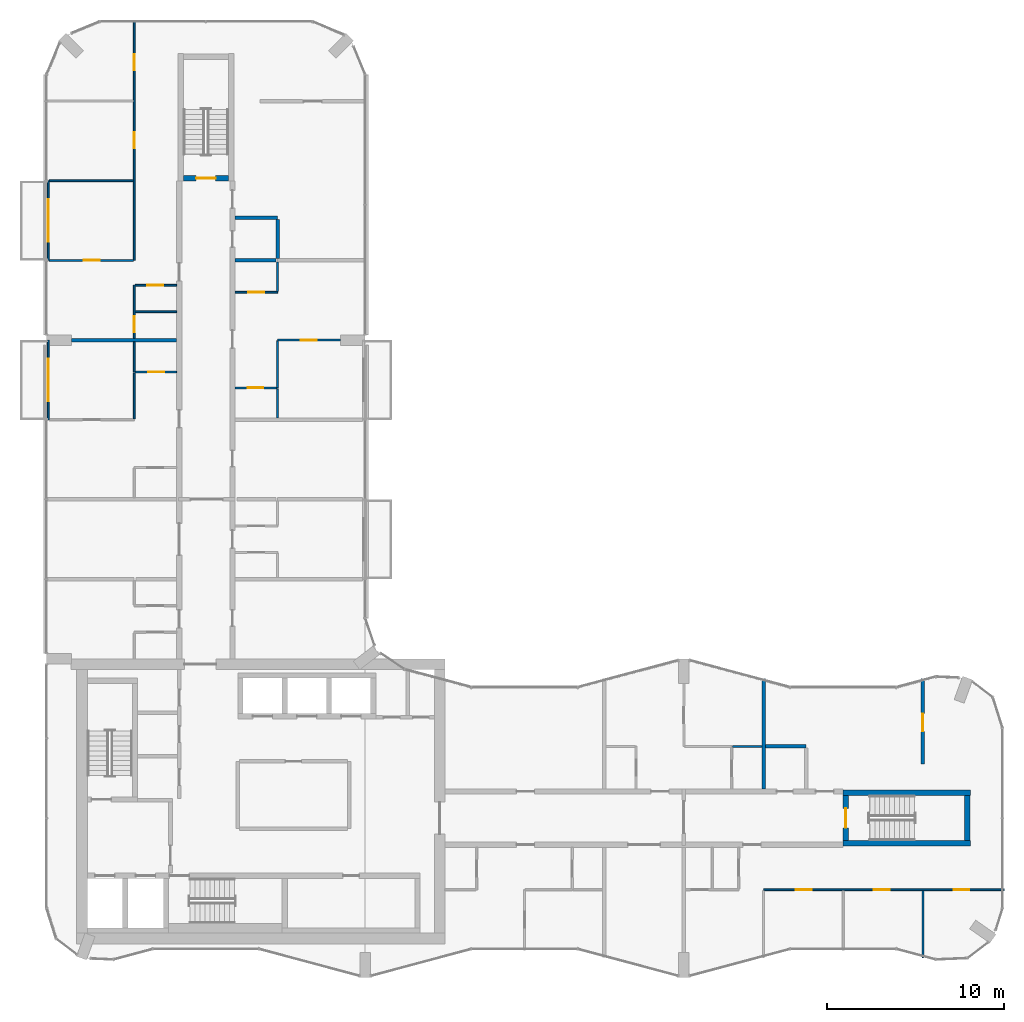
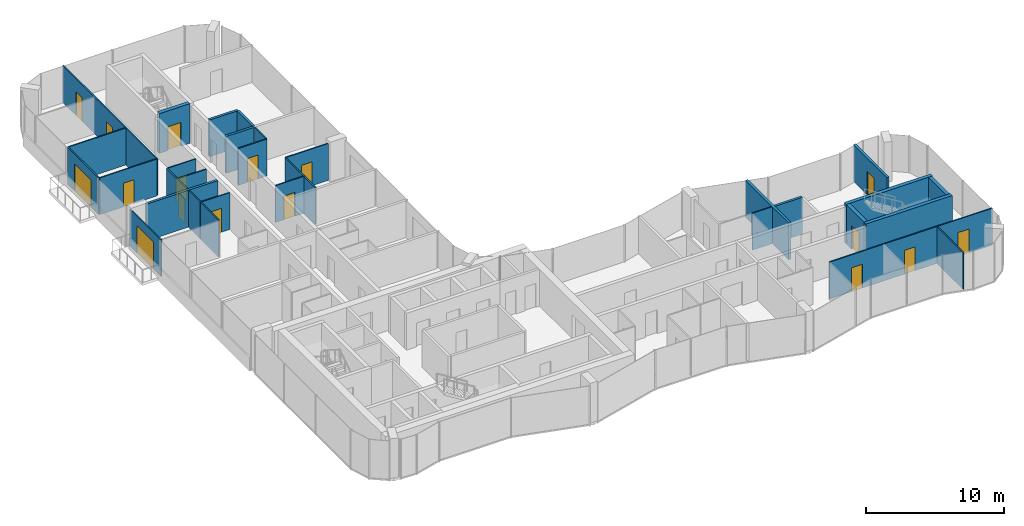
# One storey, part 12 of 15: 32 walls, 17 doors, 17 openings.
"""IFC4 building model written with IfcOpenShell, lengths in metres."""

from ifc_helpers import new_model, si_unit, direction, frame, frame_2d, origin, place, context, subcontext, project, spatial, rectangle, extrude, material, layer, layer_set, type_object, element, fill, save


model = new_model("IFC4")

# Units and contexts
model_context = context("Model", 3, precision=1e-05, world=origin(), true_north=direction((0.0, 1.0)))
body_context = subcontext(model_context, "Body", "Model", "MODEL_VIEW")
ifc_project = project(units=[si_unit("LENGTHUNIT", "METRE"), si_unit("AREAUNIT", "SQUARE_METRE"), si_unit("VOLUMEUNIT", "CUBIC_METRE"), si_unit("PLANEANGLEUNIT", "RADIAN"), si_unit("MASSUNIT", "GRAM", prefix="KILO")], contexts=[model_context])

# Site, building, storey
site_placement = place(None, origin())
site = spatial("IfcSite", under=ifc_project, at=site_placement, CompositionType="ELEMENT")
building_placement = place(site_placement, origin())
building = spatial("IfcBuilding", under=site, at=building_placement, Name="Plateau Cross Towers", CompositionType="ELEMENT")
storey_placement = place(building_placement, frame((0.0, 0.0, 153.39990234375)))
storey = spatial("IfcBuildingStorey", under=building, at=storey_placement, Name="L39", CompositionType="ELEMENT", Elevation=153.39990234375)

# Wall, opening, door
ifc_material_1 = material(Name="Aluminium framed glazing", Category="aluminium")
ifc_layer_1 = layer(ifc_material_1, 0.10009765625)
ifc_layer_set_1 = layer_set([ifc_layer_1], Name="Aluminium framed glazing")
wall_type_1 = type_object("IfcWallType", Name="Balcony screen wall 100", PredefinedType="STANDARD", material=ifc_layer_set_1)
wall_1_placement = place(storey_placement, frame((0.10009765625, 31.5, 0.0), z_axis=(0.0, 0.0, 1.0), x_axis=(0.0, 1.0, 0.0)))
wall_1 = element("IfcWall", 1, at=wall_1_placement, inside=storey, type_object=wall_type_1, Name="Balcony screen wall A-BAL-L39-01", PredefinedType="STANDARD", context=body_context, shape_type="SweptSolid", body=[
    extrude(rectangle(XDim=4.5, YDim=0.10009765625, at=frame_2d((2.25, 0.0))), origin(), (0.0, 0.0, 1.0), 3.25),
])
opening_1_placement = place(wall_1_placement, frame((1.050048828125, 0.0, 0.0)))
opening_1 = element("IfcOpeningElement", 2, at=opening_1_placement, cuts=wall_1, Name="Opening D-B24", PredefinedType="OPENING", context=body_context, shape_type="SweptSolid", body=[
    extrude(rectangle(XDim=2.39990234375, YDim=2.39990234375, at=frame_2d((1.199951171875, 1.199951171875))), frame((0.0, 0.06005859375, 0.0), z_axis=(0.0, -1.0, 0.0), x_axis=(1.0, 0.0, 0.0)), (0.0, 0.0, 1.0), 0.1201171875),
])
ifc_material_2 = material(Name="Aluminium frame, double glazing", Category="aluminium")
door_type_1 = type_object("IfcDoorType", Name="Balcony sliding door 2400", OperationType="NOTDEFINED", PredefinedType="DOOR", material=ifc_material_2)
door_1_placement = place(opening_1_placement, origin())
door_1 = element("IfcDoor", 3, at=door_1_placement, inside=storey, type_object=door_type_1, Name="Balcony door A-BAL-L39-01", OperationType="SINGLE_SWING_LEFT", OverallHeight=2.39990234375, OverallWidth=2.39990234375, PredefinedType="DOOR", context=body_context, shape_type="SweptSolid", body=[
    extrude(rectangle(XDim=2.39990234375, YDim=2.39990234375, at=frame_2d((1.199951171875, 1.199951171875))), frame((0.0, 0.02490234375, 0.0), z_axis=(0.0, -1.0, 0.0), x_axis=(1.0, 0.0, 0.0)), (0.0, 0.0, 1.0), 0.050048828125),
])
fill(opening_1, door_1)

wall_2_placement = place(storey_placement, frame((0.10009765625, 40.5, 0.0), z_axis=(0.0, 0.0, 1.0), x_axis=(0.0, 1.0, 0.0)))
wall_2 = element("IfcWall", 4, at=wall_2_placement, inside=storey, type_object=wall_type_1, Name="Balcony screen wall A-BAL-L39-02", PredefinedType="STANDARD", context=body_context, shape_type="SweptSolid", body=[
    extrude(rectangle(XDim=4.5, YDim=0.10009765625, at=frame_2d((2.25, 0.0))), origin(), (0.0, 0.0, 1.0), 3.25),
])
opening_2_placement = place(wall_2_placement, frame((1.050048828125, 0.0, 0.0)))
opening_2 = element("IfcOpeningElement", 5, at=opening_2_placement, cuts=wall_2, Name="Opening D-B24", PredefinedType="OPENING", context=body_context, shape_type="SweptSolid", body=[
    extrude(rectangle(XDim=2.39990234375, YDim=2.39990234375, at=frame_2d((1.199951171875, 1.199951171875))), frame((0.0, 0.06005859375, 0.0), z_axis=(0.0, -1.0, 0.0), x_axis=(1.0, 0.0, 0.0)), (0.0, 0.0, 1.0), 0.1201171875),
])
door_2_placement = place(opening_2_placement, origin())
door_2 = element("IfcDoor", 6, at=door_2_placement, inside=storey, type_object=door_type_1, Name="Balcony door A-BAL-L39-02", OperationType="SINGLE_SWING_LEFT", OverallHeight=2.39990234375, OverallWidth=2.39990234375, PredefinedType="DOOR", context=body_context, shape_type="SweptSolid", body=[
    extrude(rectangle(XDim=2.39990234375, YDim=2.39990234375, at=frame_2d((1.199951171875, 1.199951171875))), frame((0.0, 0.02490234375, 0.0), z_axis=(0.0, -1.0, 0.0), x_axis=(1.0, 0.0, 0.0)), (0.0, 0.0, 1.0), 0.050048828125),
])
fill(opening_2, door_2)

# Wall, openings, doors
ifc_material_3 = material(Name="Gypsum board on steel studs", Category="steel")
ifc_layer_2 = layer(ifc_material_3, 0.10009765625)
ifc_layer_set_2 = layer_set([ifc_layer_2], Name="Gypsum board on steel studs")
wall_type_2 = type_object("IfcWallType", Name="Flat partition 100", PredefinedType="PARTITIONING", material=ifc_layer_set_2)
wall_3_placement = place(storey_placement, frame((54.080078125, 4.949951171875, 0.0), z_axis=(0.0, 0.0, 1.0), x_axis=(-1.0, 0.0, 0.0)))
wall_3 = element("IfcWall", 7, at=wall_3_placement, inside=storey, type_object=wall_type_2, Name="Partition wall", PredefinedType="PARTITIONING", context=body_context, shape_type="SweptSolid", body=[
    extrude(rectangle(XDim=13.580078125, YDim=0.10009765625, at=frame_2d((6.7900390625, 0.0))), origin(), (0.0, 0.0, 1.0), 3.25),
])
opening_3_placement = place(wall_3_placement, frame((10.85009765625, 0.0, 0.0)))
opening_3 = element("IfcOpeningElement", 8, at=opening_3_placement, cuts=wall_3, Name="Opening 39-27", PredefinedType="OPENING", context=body_context, shape_type="SweptSolid", body=[
    extrude(rectangle(XDim=0.89990234375, YDim=2.10009765625, at=frame_2d((0.449951171875, 1.050048828125))), frame((0.0, 0.06005859375, 0.0), z_axis=(0.0, -1.0, 0.0), x_axis=(1.0, 0.0, 0.0)), (0.0, 0.0, 1.0), 0.1201171875),
])
opening_4_placement = place(wall_3_placement, frame((6.449951171875, 0.0, 0.0)))
opening_4 = element("IfcOpeningElement", 9, at=opening_4_placement, cuts=wall_3, Name="Opening 39-28", PredefinedType="OPENING", context=body_context, shape_type="SweptSolid", body=[
    extrude(rectangle(XDim=0.89990234375, YDim=2.10009765625, at=frame_2d((0.449951171875, 1.050048828125))), frame((0.0, 0.06005859375, 0.0), z_axis=(0.0, -1.0, 0.0), x_axis=(1.0, 0.0, 0.0)), (0.0, 0.0, 1.0), 0.1201171875),
])
opening_5_placement = place(wall_3_placement, frame((1.949951171875, 0.0, 0.0)))
opening_5 = element("IfcOpeningElement", 10, at=opening_5_placement, cuts=wall_3, Name="Opening 39-29", PredefinedType="OPENING", context=body_context, shape_type="SweptSolid", body=[
    extrude(rectangle(XDim=0.89990234375, YDim=2.10009765625, at=frame_2d((0.449951171875, 1.050048828125))), frame((0.0, 0.06005859375, 0.0), z_axis=(0.0, -1.0, 0.0), x_axis=(1.0, 0.0, 0.0)), (0.0, 0.0, 1.0), 0.1201171875),
])
ifc_material_4 = material(Name="Timber leaf", Category="wood")
door_type_2 = type_object("IfcDoorType", Name="Flat room door 900", OperationType="NOTDEFINED", PredefinedType="DOOR", material=ifc_material_4)
door_3_placement = place(opening_3_placement, origin())
door_3 = element("IfcDoor", 11, at=door_3_placement, inside=storey, type_object=door_type_2, Name="Door 39-27", OperationType="SINGLE_SWING_RIGHT", OverallHeight=2.10009765625, OverallWidth=0.89990234375, PredefinedType="DOOR", context=body_context, shape_type="SweptSolid", body=[
    extrude(rectangle(XDim=0.89990234375, YDim=2.10009765625, at=frame_2d((0.449951171875, 1.050048828125))), frame((0.0, 0.02490234375, 0.0), z_axis=(0.0, -1.0, 0.0), x_axis=(1.0, 0.0, 0.0)), (0.0, 0.0, 1.0), 0.050048828125),
])
fill(opening_3, door_3)
door_4_placement = place(opening_4_placement, origin())
door_4 = element("IfcDoor", 12, at=door_4_placement, inside=storey, type_object=door_type_2, Name="Door 39-28", OperationType="SINGLE_SWING_RIGHT", OverallHeight=2.10009765625, OverallWidth=0.89990234375, PredefinedType="DOOR", context=body_context, shape_type="SweptSolid", body=[
    extrude(rectangle(XDim=0.89990234375, YDim=2.10009765625, at=frame_2d((0.449951171875, 1.050048828125))), frame((0.0, 0.02490234375, 0.0), z_axis=(0.0, -1.0, 0.0), x_axis=(1.0, 0.0, 0.0)), (0.0, 0.0, 1.0), 0.050048828125),
])
fill(opening_4, door_4)
door_5_placement = place(opening_5_placement, origin())
door_5 = element("IfcDoor", 13, at=door_5_placement, inside=storey, type_object=door_type_2, Name="Door 39-29", OperationType="SINGLE_SWING_LEFT", OverallHeight=2.10009765625, OverallWidth=0.89990234375, PredefinedType="DOOR", context=body_context, shape_type="SweptSolid", body=[
    extrude(rectangle(XDim=0.89990234375, YDim=2.10009765625, at=frame_2d((0.449951171875, 1.050048828125))), frame((0.0, 0.02490234375, 0.0), z_axis=(0.0, -1.0, 0.0), x_axis=(1.0, 0.0, 0.0)), (0.0, 0.0, 1.0), 0.050048828125),
])
fill(opening_5, door_5)

# Wall
wall_4_placement = place(storey_placement, frame((40.39990234375, 13.050048828125, 0.0), z_axis=(0.0, 0.0, 1.0), x_axis=(-1.0, 0.0, 0.0)))
element("IfcWall", 14, at=wall_4_placement, inside=storey, type_object=wall_type_2, Name="Partition wall", PredefinedType="PARTITIONING", context=body_context, shape_type="SweptSolid", body=[
    extrude(rectangle(XDim=1.64990234375, YDim=0.10009765625, at=frame_2d((0.824951171875, 0.0))), origin(), (0.0, 0.0, 1.0), 3.25),
])

# Wall, opening, door
wall_5_placement = place(storey_placement, frame((13.0, 33.300048828125, 0.0), z_axis=(0.0, 0.0, 1.0), x_axis=(-1.0, 0.0, 0.0)))
wall_5 = element("IfcWall", 15, at=wall_5_placement, inside=storey, type_object=wall_type_2, Name="Partition wall", PredefinedType="PARTITIONING", context=body_context, shape_type="SweptSolid", body=[
    extrude(rectangle(XDim=2.35009765625, YDim=0.10009765625, at=frame_2d((1.175048828125, 0.0))), origin(), (0.0, 0.0, 1.0), 3.25),
])
opening_6_placement = place(wall_5_placement, frame((0.75, 0.0, 0.0)))
opening_6 = element("IfcOpeningElement", 16, at=opening_6_placement, cuts=wall_5, Name="Opening 39-45", PredefinedType="OPENING", context=body_context, shape_type="SweptSolid", body=[
    extrude(rectangle(XDim=0.89990234375, YDim=2.10009765625, at=frame_2d((0.449951171875, 1.050048828125))), frame((0.0, 0.06005859375, 0.0), z_axis=(0.0, -1.0, 0.0), x_axis=(1.0, 0.0, 0.0)), (0.0, 0.0, 1.0), 0.1201171875),
])
door_6_placement = place(opening_6_placement, origin())
door_6 = element("IfcDoor", 17, at=door_6_placement, inside=storey, type_object=door_type_2, Name="Door 39-45", OperationType="SINGLE_SWING_RIGHT", OverallHeight=2.10009765625, OverallWidth=0.89990234375, PredefinedType="DOOR", context=body_context, shape_type="SweptSolid", body=[
    extrude(rectangle(XDim=0.89990234375, YDim=2.10009765625, at=frame_2d((0.449951171875, 1.050048828125))), frame((0.0, 0.02490234375, 0.0), z_axis=(0.0, -1.0, 0.0), x_axis=(1.0, 0.0, 0.0)), (0.0, 0.0, 1.0), 0.050048828125),
])
fill(opening_6, door_6)

wall_6_placement = place(storey_placement, frame((5.0, 34.199951171875, 0.0), z_axis=(0.0, 0.0, 1.0), x_axis=(1.0, 0.0, 0.0)))
wall_6 = element("IfcWall", 18, at=wall_6_placement, inside=storey, type_object=wall_type_2, Name="Partition wall", PredefinedType="PARTITIONING", context=body_context, shape_type="SweptSolid", body=[
    extrude(rectangle(XDim=2.35009765625, YDim=0.10009765625, at=frame_2d((1.175048828125, 0.0))), origin(), (0.0, 0.0, 1.0), 3.25),
])
opening_7_placement = place(wall_6_placement, frame((0.75, 0.0, 0.0)))
opening_7 = element("IfcOpeningElement", 19, at=opening_7_placement, cuts=wall_6, Name="Opening 39-36", PredefinedType="OPENING", context=body_context, shape_type="SweptSolid", body=[
    extrude(rectangle(XDim=0.89990234375, YDim=2.10009765625, at=frame_2d((0.449951171875, 1.050048828125))), frame((0.0, 0.06005859375, 0.0), z_axis=(0.0, -1.0, 0.0), x_axis=(1.0, 0.0, 0.0)), (0.0, 0.0, 1.0), 0.1201171875),
])
door_7_placement = place(opening_7_placement, origin())
door_7 = element("IfcDoor", 20, at=door_7_placement, inside=storey, type_object=door_type_2, Name="Door 39-36", OperationType="SINGLE_SWING_RIGHT", OverallHeight=2.10009765625, OverallWidth=0.89990234375, PredefinedType="DOOR", context=body_context, shape_type="SweptSolid", body=[
    extrude(rectangle(XDim=0.89990234375, YDim=2.10009765625, at=frame_2d((0.449951171875, 1.050048828125))), frame((0.0, 0.02490234375, 0.0), z_axis=(0.0, -1.0, 0.0), x_axis=(1.0, 0.0, 0.0)), (0.0, 0.0, 1.0), 0.050048828125),
])
fill(opening_7, door_7)

wall_7_placement = place(storey_placement, frame((16.60009765625, 36.0, 0.0), z_axis=(0.0, 0.0, 1.0), x_axis=(-1.0, 0.0, 0.0)))
wall_7 = element("IfcWall", 21, at=wall_7_placement, inside=storey, type_object=wall_type_2, Name="Partition wall", PredefinedType="PARTITIONING", context=body_context, shape_type="SweptSolid", body=[
    extrude(rectangle(XDim=3.550048828125, YDim=0.10009765625, at=frame_2d((1.77490234375, 0.0))), origin(), (0.0, 0.0, 1.0), 3.25),
])
opening_8_placement = place(wall_7_placement, frame((1.35009765625, 0.0, 0.0)))
opening_8 = element("IfcOpeningElement", 22, at=opening_8_placement, cuts=wall_7, Name="Opening 39-47", PredefinedType="OPENING", context=body_context, shape_type="SweptSolid", body=[
    extrude(rectangle(XDim=0.89990234375, YDim=2.10009765625, at=frame_2d((0.449951171875, 1.050048828125))), frame((0.0, 0.06005859375, 0.0), z_axis=(0.0, -1.0, 0.0), x_axis=(1.0, 0.0, 0.0)), (0.0, 0.0, 1.0), 0.1201171875),
])
door_8_placement = place(opening_8_placement, origin())
door_8 = element("IfcDoor", 23, at=door_8_placement, inside=storey, type_object=door_type_2, Name="Door 39-47", OperationType="SINGLE_SWING_RIGHT", OverallHeight=2.10009765625, OverallWidth=0.89990234375, PredefinedType="DOOR", context=body_context, shape_type="SweptSolid", body=[
    extrude(rectangle(XDim=0.89990234375, YDim=2.10009765625, at=frame_2d((0.449951171875, 1.050048828125))), frame((0.0, 0.02490234375, 0.0), z_axis=(0.0, -1.0, 0.0), x_axis=(1.0, 0.0, 0.0)), (0.0, 0.0, 1.0), 0.050048828125),
])
fill(opening_8, door_8)

# Wall
wall_8_placement = place(storey_placement, frame((7.35009765625, 37.60009765625, 0.0), z_axis=(0.0, 0.0, 1.0), x_axis=(-1.0, 0.0, 0.0)))
element("IfcWall", 24, at=wall_8_placement, inside=storey, type_object=wall_type_2, Name="Partition wall", PredefinedType="PARTITIONING", context=body_context, shape_type="SweptSolid", body=[
    extrude(rectangle(XDim=2.35009765625, YDim=0.10009765625, at=frame_2d((1.175048828125, 0.0))), origin(), (0.0, 0.0, 1.0), 3.25),
])

# Wall, opening, door
wall_9_placement = place(storey_placement, frame((10.64990234375, 38.699951171875, 0.0), z_axis=(0.0, 0.0, 1.0), x_axis=(1.0, 0.0, 0.0)))
wall_9 = element("IfcWall", 25, at=wall_9_placement, inside=storey, type_object=wall_type_2, Name="Partition wall", PredefinedType="PARTITIONING", context=body_context, shape_type="SweptSolid", body=[
    extrude(rectangle(XDim=2.400146484375, YDim=0.10009765625, at=frame_2d((1.2001953125, 0.0))), origin(), (0.0, 0.0, 1.0), 3.25),
])
opening_9_placement = place(wall_9_placement, frame((0.75, 0.0, 0.0)))
opening_9 = element("IfcOpeningElement", 26, at=opening_9_placement, cuts=wall_9, Name="Opening 39-46", PredefinedType="OPENING", context=body_context, shape_type="SweptSolid", body=[
    extrude(rectangle(XDim=0.89990234375, YDim=2.10009765625, at=frame_2d((0.449951171875, 1.050048828125))), frame((0.0, 0.06005859375, 0.0), z_axis=(0.0, -1.0, 0.0), x_axis=(1.0, 0.0, 0.0)), (0.0, 0.0, 1.0), 0.1201171875),
])
door_9_placement = place(opening_9_placement, origin())
door_9 = element("IfcDoor", 27, at=door_9_placement, inside=storey, type_object=door_type_2, Name="Door 39-46", OperationType="SINGLE_SWING_LEFT", OverallHeight=2.10009765625, OverallWidth=0.89990234375, PredefinedType="DOOR", context=body_context, shape_type="SweptSolid", body=[
    extrude(rectangle(XDim=0.89990234375, YDim=2.10009765625, at=frame_2d((0.449951171875, 1.050048828125))), frame((0.0, 0.02490234375, 0.0), z_axis=(0.0, -1.0, 0.0), x_axis=(1.0, 0.0, 0.0)), (0.0, 0.0, 1.0), 0.050048828125),
])
fill(opening_9, door_9)

wall_10_placement = place(storey_placement, frame((7.35009765625, 39.10009765625, 0.0), z_axis=(0.0, 0.0, 1.0), x_axis=(-1.0, 0.0, 0.0)))
wall_10 = element("IfcWall", 28, at=wall_10_placement, inside=storey, type_object=wall_type_2, Name="Partition wall", PredefinedType="PARTITIONING", context=body_context, shape_type="SweptSolid", body=[
    extrude(rectangle(XDim=2.35009765625, YDim=0.10009765625, at=frame_2d((1.175048828125, 0.0))), origin(), (0.0, 0.0, 1.0), 3.25),
])
opening_10_placement = place(wall_10_placement, frame((0.75, 0.0, 0.0)))
opening_10 = element("IfcOpeningElement", 29, at=opening_10_placement, cuts=wall_10, Name="Opening 39-39", PredefinedType="OPENING", context=body_context, shape_type="SweptSolid", body=[
    extrude(rectangle(XDim=0.89990234375, YDim=2.10009765625, at=frame_2d((0.449951171875, 1.050048828125))), frame((0.0, 0.06005859375, 0.0), z_axis=(0.0, -1.0, 0.0), x_axis=(1.0, 0.0, 0.0)), (0.0, 0.0, 1.0), 0.1201171875),
])
door_10_placement = place(opening_10_placement, origin())
door_10 = element("IfcDoor", 30, at=door_10_placement, inside=storey, type_object=door_type_2, Name="Door 39-39", OperationType="SINGLE_SWING_RIGHT", OverallHeight=2.10009765625, OverallWidth=0.89990234375, PredefinedType="DOOR", context=body_context, shape_type="SweptSolid", body=[
    extrude(rectangle(XDim=0.89990234375, YDim=2.10009765625, at=frame_2d((0.449951171875, 1.050048828125))), frame((0.0, 0.02490234375, 0.0), z_axis=(0.0, -1.0, 0.0), x_axis=(1.0, 0.0, 0.0)), (0.0, 0.0, 1.0), 0.050048828125),
])
fill(opening_10, door_10)

wall_11_placement = place(storey_placement, frame((0.14990234375, 40.5, 0.0), z_axis=(0.0, 0.0, 1.0), x_axis=(1.0, 0.0, 0.0)))
wall_11 = element("IfcWall", 31, at=wall_11_placement, inside=storey, type_object=wall_type_2, Name="Partition wall", PredefinedType="PARTITIONING", context=body_context, shape_type="SweptSolid", body=[
    extrude(rectangle(XDim=4.75, YDim=0.10009765625, at=frame_2d((2.375, 0.0))), origin(), (0.0, 0.0, 1.0), 3.25),
])
opening_11_placement = place(wall_11_placement, frame((1.949951171875, 0.0, 0.0)))
opening_11 = element("IfcOpeningElement", 32, at=opening_11_placement, cuts=wall_11, Name="Opening 39-40", PredefinedType="OPENING", context=body_context, shape_type="SweptSolid", body=[
    extrude(rectangle(XDim=0.89990234375, YDim=2.10009765625, at=frame_2d((0.449951171875, 1.050048828125))), frame((0.0, 0.06005859375, 0.0), z_axis=(0.0, -1.0, 0.0), x_axis=(1.0, 0.0, 0.0)), (0.0, 0.0, 1.0), 0.1201171875),
])
door_11_placement = place(opening_11_placement, origin())
door_11 = element("IfcDoor", 33, at=door_11_placement, inside=storey, type_object=door_type_2, Name="Door 39-40", OperationType="SINGLE_SWING_RIGHT", OverallHeight=2.10009765625, OverallWidth=0.89990234375, PredefinedType="DOOR", context=body_context, shape_type="SweptSolid", body=[
    extrude(rectangle(XDim=0.89990234375, YDim=2.10009765625, at=frame_2d((0.449951171875, 1.050048828125))), frame((0.0, 0.02490234375, 0.0), z_axis=(0.0, -1.0, 0.0), x_axis=(1.0, 0.0, 0.0)), (0.0, 0.0, 1.0), 0.050048828125),
])
fill(opening_11, door_11)

# Walls
wall_12_placement = place(storey_placement, frame((4.89990234375, 45.0, 0.0), z_axis=(0.0, 0.0, 1.0), x_axis=(-1.0, 0.0, 0.0)))
element("IfcWall", 34, at=wall_12_placement, inside=storey, type_object=wall_type_2, Name="Partition wall", PredefinedType="PARTITIONING", context=body_context, shape_type="SweptSolid", body=[
    extrude(rectangle(XDim=4.75, YDim=0.10009765625, at=frame_2d((2.375, 0.0))), origin(), (0.0, 0.0, 1.0), 3.25),
])
wall_13_placement = place(storey_placement, frame((4.949951171875, 35.89990234375, 0.0), z_axis=(0.0, 0.0, 1.0), x_axis=(0.0, -1.0, 0.0)))
element("IfcWall", 35, at=wall_13_placement, inside=storey, type_object=wall_type_2, Name="Partition wall", PredefinedType="PARTITIONING", context=body_context, shape_type="SweptSolid", body=[
    extrude(rectangle(XDim=1.699951171875, YDim=0.10009765625, at=frame_2d((0.85009765625, 0.0))), origin(), (0.0, 0.0, 1.0), 3.25),
])

# Wall, opening, door
wall_14_placement = place(storey_placement, frame((4.949951171875, 39.10009765625, 0.0), z_axis=(0.0, 0.0, 1.0), x_axis=(0.0, -1.0, 0.0)))
wall_14 = element("IfcWall", 36, at=wall_14_placement, inside=storey, type_object=wall_type_2, Name="Partition wall", PredefinedType="PARTITIONING", context=body_context, shape_type="SweptSolid", body=[
    extrude(rectangle(XDim=3.0, YDim=0.10009765625, at=frame_2d((1.5, 0.0))), origin(), (0.0, 0.0, 1.0), 3.25),
])
opening_12_placement = place(wall_14_placement, frame((1.75, 0.0, 0.0)))
opening_12 = element("IfcOpeningElement", 37, at=opening_12_placement, cuts=wall_14, Name="Opening 39-38", PredefinedType="OPENING", context=body_context, shape_type="SweptSolid", body=[
    extrude(rectangle(XDim=0.89990234375, YDim=2.10009765625, at=frame_2d((0.449951171875, 1.050048828125))), frame((0.0, 0.06005859375, 0.0), z_axis=(0.0, -1.0, 0.0), x_axis=(1.0, 0.0, 0.0)), (0.0, 0.0, 1.0), 0.1201171875),
])
door_12_placement = place(opening_12_placement, origin())
door_12 = element("IfcDoor", 38, at=door_12_placement, inside=storey, type_object=door_type_2, Name="Door 39-38", OperationType="SINGLE_SWING_RIGHT", OverallHeight=2.10009765625, OverallWidth=0.89990234375, PredefinedType="DOOR", context=body_context, shape_type="SweptSolid", body=[
    extrude(rectangle(XDim=0.89990234375, YDim=2.10009765625, at=frame_2d((0.449951171875, 1.050048828125))), frame((0.0, 0.02490234375, 0.0), z_axis=(0.0, -1.0, 0.0), x_axis=(1.0, 0.0, 0.0)), (0.0, 0.0, 1.0), 0.050048828125),
])
fill(opening_12, door_12)

# Wall
wall_15_placement = place(storey_placement, frame((4.949951171875, 31.550048828125, 0.0), z_axis=(0.0, 0.0, 1.0), x_axis=(0.0, 1.0, 0.0)))
element("IfcWall", 39, at=wall_15_placement, inside=storey, type_object=wall_type_2, Name="Partition wall", PredefinedType="PARTITIONING", context=body_context, shape_type="SweptSolid", body=[
    extrude(rectangle(XDim=2.599853515625, YDim=0.10009765625, at=frame_2d((1.2998046875, 0.0))), origin(), (0.0, 0.0, 1.0), 3.25),
])

# Wall, openings, doors
wall_16_placement = place(storey_placement, frame((4.949951171875, 40.5, 0.0), z_axis=(0.0, 0.0, 1.0), x_axis=(0.0, 1.0, 0.0)))
wall_16 = element("IfcWall", 40, at=wall_16_placement, inside=storey, type_object=wall_type_2, Name="Partition wall", PredefinedType="PARTITIONING", context=body_context, shape_type="SweptSolid", body=[
    extrude(rectangle(XDim=13.580078125, YDim=0.10009765625, at=frame_2d((6.7900390625, 0.0))), origin(), (0.0, 0.0, 1.0), 3.25),
])
opening_13_placement = place(wall_16_placement, frame((6.35009765625, 0.0, 0.0)))
opening_13 = element("IfcOpeningElement", 41, at=opening_13_placement, cuts=wall_16, Name="Opening 39-41", PredefinedType="OPENING", context=body_context, shape_type="SweptSolid", body=[
    extrude(rectangle(XDim=0.89990234375, YDim=2.10009765625, at=frame_2d((0.449951171875, 1.050048828125))), frame((0.0, 0.06005859375, 0.0), z_axis=(0.0, -1.0, 0.0), x_axis=(1.0, 0.0, 0.0)), (0.0, 0.0, 1.0), 0.1201171875),
])
opening_14_placement = place(wall_16_placement, frame((10.75, 0.0, 0.0)))
opening_14 = element("IfcOpeningElement", 42, at=opening_14_placement, cuts=wall_16, Name="Opening 39-42", PredefinedType="OPENING", context=body_context, shape_type="SweptSolid", body=[
    extrude(rectangle(XDim=0.89990234375, YDim=2.10009765625, at=frame_2d((0.449951171875, 1.050048828125))), frame((0.0, 0.06005859375, 0.0), z_axis=(0.0, -1.0, 0.0), x_axis=(1.0, 0.0, 0.0)), (0.0, 0.0, 1.0), 0.1201171875),
])
door_13_placement = place(opening_13_placement, origin())
door_13 = element("IfcDoor", 43, at=door_13_placement, inside=storey, type_object=door_type_2, Name="Door 39-41", OperationType="SINGLE_SWING_RIGHT", OverallHeight=2.10009765625, OverallWidth=0.89990234375, PredefinedType="DOOR", context=body_context, shape_type="SweptSolid", body=[
    extrude(rectangle(XDim=0.89990234375, YDim=2.10009765625, at=frame_2d((0.449951171875, 1.050048828125))), frame((0.0, 0.02490234375, 0.0), z_axis=(0.0, -1.0, 0.0), x_axis=(1.0, 0.0, 0.0)), (0.0, 0.0, 1.0), 0.050048828125),
])
fill(opening_13, door_13)
door_14_placement = place(opening_14_placement, origin())
door_14 = element("IfcDoor", 44, at=door_14_placement, inside=storey, type_object=door_type_2, Name="Door 39-42", OperationType="SINGLE_SWING_RIGHT", OverallHeight=2.10009765625, OverallWidth=0.89990234375, PredefinedType="DOOR", context=body_context, shape_type="SweptSolid", body=[
    extrude(rectangle(XDim=0.89990234375, YDim=2.10009765625, at=frame_2d((0.449951171875, 1.050048828125))), frame((0.0, 0.02490234375, 0.0), z_axis=(0.0, -1.0, 0.0), x_axis=(1.0, 0.0, 0.0)), (0.0, 0.0, 1.0), 0.050048828125),
])
fill(opening_14, door_14)

# Walls
wall_17_placement = place(storey_placement, frame((13.050048828125, 35.949951171875, 0.0), z_axis=(0.0, 0.0, 1.0), x_axis=(0.0, -1.0, 0.0)))
element("IfcWall", 45, at=wall_17_placement, inside=storey, type_object=wall_type_2, Name="Partition wall", PredefinedType="PARTITIONING", context=body_context, shape_type="SweptSolid", body=[
    extrude(rectangle(XDim=2.64990234375, YDim=0.10009765625, at=frame_2d((1.324951171875, 0.0))), origin(), (0.0, 0.0, 1.0), 3.25),
])
for number, where, z_axis, x_axis, name in (
    (46, (13.050048828125, 31.60009765625, 0.0), (0.0, 0.0, 1.0), (0.0, 1.0, 0.0), "Partition wall"),
    (47, (13.050048828125, 38.75, 0.0), (0.0, 0.0, 1.0), (0.0, 1.0, 0.0), "Partition wall"),
):
    element("IfcWall", number, at=place(storey_placement, frame(where, z_axis=z_axis, x_axis=x_axis)), inside=storey, type_object=wall_type_2, Name=name, PredefinedType="PARTITIONING", context=body_context, shape_type="SweptSolid", body=[
        extrude(rectangle(XDim=1.64990234375, YDim=0.10009765625, at=frame_2d((0.824951171875, 0.0))), origin(), (0.0, 0.0, 1.0), 3.25),
    ])
wall_18_placement = place(storey_placement, frame((49.5, 1.122314453125, 0.0), z_axis=(0.0, 0.0, 1.0), x_axis=(0.0, 1.0, 0.0)))
element("IfcWall", 48, at=wall_18_placement, inside=storey, type_object=wall_type_2, Name="Partition wall", PredefinedType="PARTITIONING", context=body_context, shape_type="SweptSolid", body=[
    extrude(rectangle(XDim=3.777587890625, YDim=0.10009765625, at=frame_2d((1.888671875, 0.0))), origin(), (0.0, 0.0, 1.0), 3.25),
])
ifc_material_5 = material(Name="Gypsum board on steel studs, two layers each side", Category="steel")
ifc_layer_3 = layer(ifc_material_5, 0.199951171875)
ifc_layer_set_3 = layer_set([ifc_layer_3], Name="Gypsum board on steel studs, two layers each side")
wall_type_3 = type_object("IfcWallType", Name="Flat party wall 200", PredefinedType="PARTITIONING", material=ifc_layer_set_3)
wall_19_placement = place(storey_placement, frame((42.89990234375, 13.050048828125, 0.0), z_axis=(0.0, 0.0, 1.0), x_axis=(-1.0, 0.0, 0.0)))
element("IfcWall", 49, at=wall_19_placement, inside=storey, type_object=wall_type_3, Name="Party wall", PredefinedType="PARTITIONING", context=body_context, shape_type="SweptSolid", body=[
    extrude(rectangle(XDim=2.2998046875, YDim=0.199951171875, at=frame_2d((1.14990234375, 0.0))), origin(), (0.0, 0.0, 1.0), 3.25),
])
wall_20_placement = place(storey_placement, frame((7.35009765625, 36.0, 0.0), z_axis=(0.0, 0.0, 1.0), x_axis=(-1.0, 0.0, 0.0)))
element("IfcWall", 50, at=wall_20_placement, inside=storey, type_object=wall_type_3, Name="Party wall", PredefinedType="PARTITIONING", context=body_context, shape_type="SweptSolid", body=[
    extrude(rectangle(XDim=5.9501953125, YDim=0.199951171875, at=frame_2d((2.97509765625, 0.0))), origin(), (0.0, 0.0, 1.0), 3.25),
])
wall_21_placement = place(storey_placement, frame((12.949951171875, 40.5, 0.0), z_axis=(0.0, 0.0, 1.0), x_axis=(-1.0, 0.0, 0.0)))
element("IfcWall", 51, at=wall_21_placement, inside=storey, type_object=wall_type_3, Name="Party wall", PredefinedType="PARTITIONING", context=body_context, shape_type="SweptSolid", body=[
    extrude(rectangle(XDim=2.300048828125, YDim=0.199951171875, at=frame_2d((1.14990234375, 0.0))), origin(), (0.0, 0.0, 1.0), 3.25),
])
wall_22_placement = place(storey_placement, frame((13.050048828125, 42.89990234375, 0.0), z_axis=(0.0, 0.0, 1.0), x_axis=(-1.0, 0.0, 0.0)))
element("IfcWall", 52, at=wall_22_placement, inside=storey, type_object=wall_type_3, Name="Party wall", PredefinedType="PARTITIONING", context=body_context, shape_type="SweptSolid", body=[
    extrude(rectangle(XDim=2.400146484375, YDim=0.199951171875, at=frame_2d((1.2001953125, 0.0))), origin(), (0.0, 0.0, 1.0), 3.25),
])
wall_23_placement = place(storey_placement, frame((13.050048828125, 40.60009765625, 0.0), z_axis=(0.0, 0.0, 1.0), x_axis=(0.0, 1.0, 0.0)))
element("IfcWall", 53, at=wall_23_placement, inside=storey, type_object=wall_type_3, Name="Party wall", PredefinedType="PARTITIONING", context=body_context, shape_type="SweptSolid", body=[
    extrude(rectangle(XDim=2.199951171875, YDim=0.199951171875, at=frame_2d((1.10009765625, 0.0))), origin(), (0.0, 0.0, 1.0), 3.25),
])
wall_24_placement = place(storey_placement, frame((40.5, 10.64990234375, 0.0), z_axis=(0.0, 0.0, 1.0), x_axis=(0.0, 1.0, 0.0)))
element("IfcWall", 54, at=wall_24_placement, inside=storey, type_object=wall_type_3, Name="Party wall", PredefinedType="PARTITIONING", context=body_context, shape_type="SweptSolid", body=[
    extrude(rectangle(XDim=6.227783203125, YDim=0.199951171875, at=frame_2d((3.11376953125, 0.0))), origin(), (0.0, 0.0, 1.0), 3.25),
])

# Wall, opening, door
wall_25_placement = place(storey_placement, frame((49.5, 12.050048828125, 0.0), z_axis=(0.0, 0.0, 1.0), x_axis=(0.0, 1.0, 0.0)))
wall_25 = element("IfcWall", 55, at=wall_25_placement, inside=storey, type_object=wall_type_3, Name="Party wall", PredefinedType="PARTITIONING", context=body_context, shape_type="SweptSolid", body=[
    extrude(rectangle(XDim=4.82763671875, YDim=0.199951171875, at=frame_2d((2.413818359375, 0.0))), origin(), (0.0, 0.0, 1.0), 3.25),
])
opening_15_placement = place(wall_25_placement, frame((1.85009765625, 0.0, 0.0)))
opening_15 = element("IfcOpeningElement", 56, at=opening_15_placement, cuts=wall_25, Name="Opening 39-20", PredefinedType="OPENING", context=body_context, shape_type="SweptSolid", body=[
    extrude(rectangle(XDim=1.0, YDim=2.10009765625, at=frame_2d((0.5, 1.050048828125))), frame((0.0, 0.10986328125, 0.0), z_axis=(0.0, -1.0, 0.0), x_axis=(1.0, 0.0, 0.0)), (0.0, 0.0, 1.0), 0.219970703125),
])
ifc_material_6 = material(Name="Timber, fire-resisting leaf", Category="wood")
door_type_3 = type_object("IfcDoorType", Name="Flat entrance door 1000", OperationType="NOTDEFINED", PredefinedType="DOOR", material=ifc_material_6)
door_15_placement = place(opening_15_placement, origin())
door_15 = element("IfcDoor", 57, at=door_15_placement, inside=storey, type_object=door_type_3, Name="Door 39-20", OperationType="SINGLE_SWING_LEFT", OverallHeight=2.10009765625, OverallWidth=1.0, PredefinedType="DOOR", context=body_context, shape_type="SweptSolid", body=[
    extrude(rectangle(XDim=1.0, YDim=2.10009765625, at=frame_2d((0.5, 1.050048828125))), frame((0.0, 0.02490234375, 0.0), z_axis=(0.0, -1.0, 0.0), x_axis=(1.0, 0.0, 0.0)), (0.0, 0.0, 1.0), 0.050048828125),
])
fill(opening_15, door_15)

ifc_material_7 = material(Name="Concrete C60/75", Category="concrete")
ifc_layer_4 = layer(ifc_material_7, 0.300048828125)
ifc_layer_set_4 = layer_set([ifc_layer_4], Name="Concrete C60/75")
wall_type_4 = type_object("IfcWallType", Name="Stair tower wall 300", PredefinedType="SHEAR", material=ifc_layer_set_4)
wall_26_placement = place(storey_placement, frame((45.14990234375, 7.72509765625, 0.0), z_axis=(0.0, 0.0, 1.0), x_axis=(0.0, 1.0, 0.0)))
wall_26 = element("IfcWall", 58, at=wall_26_placement, inside=storey, type_object=wall_type_4, Name="A-end-E-W@L39", PredefinedType="SHEAR", context=body_context, shape_type="SweptSolid", body=[
    extrude(rectangle(XDim=2.5498046875, YDim=0.300048828125, at=frame_2d((1.27490234375, 0.0))), origin(), (0.0, 0.0, 1.0), 3.5),
])
opening_16_placement = place(wall_26_placement, frame((0.72509765625, 0.0, 0.0)))
opening_16 = element("IfcOpeningElement", 59, at=opening_16_placement, cuts=wall_26, Name="Opening SD", PredefinedType="OPENING", context=body_context, shape_type="SweptSolid", body=[
    extrude(rectangle(XDim=1.10009765625, YDim=2.10009765625, at=frame_2d((0.550048828125, 1.050048828125))), frame((0.0, 0.159912109375, 0.0), z_axis=(0.0, -1.0, 0.0), x_axis=(1.0, 0.0, 0.0)), (0.0, 0.0, 1.0), 0.320068359375),
])
ifc_material_8 = material(Name="Steel, fire-resisting leaf", Category="steel")
door_type_4 = type_object("IfcDoorType", Name="Stair door 1100", OperationType="NOTDEFINED", PredefinedType="DOOR", material=ifc_material_8)
door_16_placement = place(opening_16_placement, origin())
door_16 = element("IfcDoor", 60, at=door_16_placement, inside=storey, type_object=door_type_4, Name="Stair door SD", OperationType="SINGLE_SWING_LEFT", OverallHeight=2.10009765625, OverallWidth=1.10009765625, PredefinedType="DOOR", context=body_context, shape_type="SweptSolid", body=[
    extrude(rectangle(XDim=1.10009765625, YDim=2.10009765625, at=frame_2d((0.550048828125, 1.050048828125))), frame((0.0, 0.02490234375, 0.0), z_axis=(0.0, -1.0, 0.0), x_axis=(1.0, 0.0, 0.0)), (0.0, 0.0, 1.0), 0.050048828125),
])
fill(opening_16, door_16)

# Walls
wall_27_placement = place(storey_placement, frame((52.0, 7.72509765625, 0.0), z_axis=(0.0, 0.0, 1.0), x_axis=(0.0, 1.0, 0.0)))
element("IfcWall", 61, at=wall_27_placement, inside=storey, type_object=wall_type_4, Name="A-end-E-E@L39", PredefinedType="SHEAR", context=body_context, shape_type="SweptSolid", body=[
    extrude(rectangle(XDim=2.5498046875, YDim=0.300048828125, at=frame_2d((1.27490234375, 0.0))), origin(), (0.0, 0.0, 1.0), 3.5),
])
for number, where, z_axis, x_axis, name in (
    (62, (45.0, 7.574951171875, 0.0), (0.0, 0.0, 1.0), (1.0, 0.0, 0.0), "A-end-E-S@L39"),
    (63, (45.0, 10.425048828125, 0.0), (0.0, 0.0, 1.0), (1.0, 0.0, 0.0), "A-end-E-N@L39"),
):
    element("IfcWall", number, at=place(storey_placement, frame(where, z_axis=z_axis, x_axis=x_axis)), inside=storey, type_object=wall_type_4, Name=name, PredefinedType="SHEAR", context=body_context, shape_type="SweptSolid", body=[
        extrude(rectangle(XDim=7.199951171875, YDim=0.300048828125, at=frame_2d((3.60009765625, 0.0))), origin(), (0.0, 0.0, 1.0), 3.5),
    ])

# Wall, opening, door
wall_28_placement = place(storey_placement, frame((7.72509765625, 45.14990234375, 0.0), z_axis=(0.0, 0.0, 1.0), x_axis=(1.0, 0.0, 0.0)))
wall_28 = element("IfcWall", 64, at=wall_28_placement, inside=storey, type_object=wall_type_4, Name="A-end-N-S@L39", PredefinedType="SHEAR", context=body_context, shape_type="SweptSolid", body=[
    extrude(rectangle(XDim=2.5498046875, YDim=0.300048828125, at=frame_2d((1.27490234375, 0.0))), origin(), (0.0, 0.0, 1.0), 3.5),
])
opening_17_placement = place(wall_28_placement, frame((0.72509765625, 0.0, 0.0)))
opening_17 = element("IfcOpeningElement", 65, at=opening_17_placement, cuts=wall_28, Name="Opening SD", PredefinedType="OPENING", context=body_context, shape_type="SweptSolid", body=[
    extrude(rectangle(XDim=1.10009765625, YDim=2.10009765625, at=frame_2d((0.550048828125, 1.050048828125))), frame((0.0, 0.159912109375, 0.0), z_axis=(0.0, -1.0, 0.0), x_axis=(1.0, 0.0, 0.0)), (0.0, 0.0, 1.0), 0.320068359375),
])
door_17_placement = place(opening_17_placement, origin())
door_17 = element("IfcDoor", 66, at=door_17_placement, inside=storey, type_object=door_type_4, Name="Stair door SD", OperationType="SINGLE_SWING_LEFT", OverallHeight=2.10009765625, OverallWidth=1.10009765625, PredefinedType="DOOR", context=body_context, shape_type="SweptSolid", body=[
    extrude(rectangle(XDim=1.10009765625, YDim=2.10009765625, at=frame_2d((0.550048828125, 1.050048828125))), frame((0.0, 0.02490234375, 0.0), z_axis=(0.0, -1.0, 0.0), x_axis=(1.0, 0.0, 0.0)), (0.0, 0.0, 1.0), 0.050048828125),
])
fill(opening_17, door_17)

save(model, "model.ifc")
